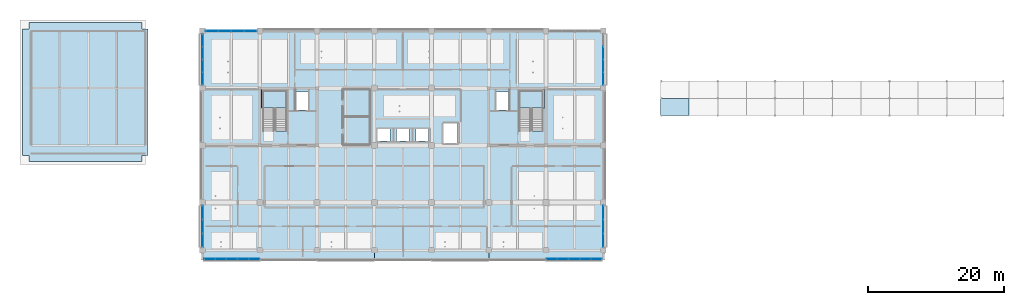
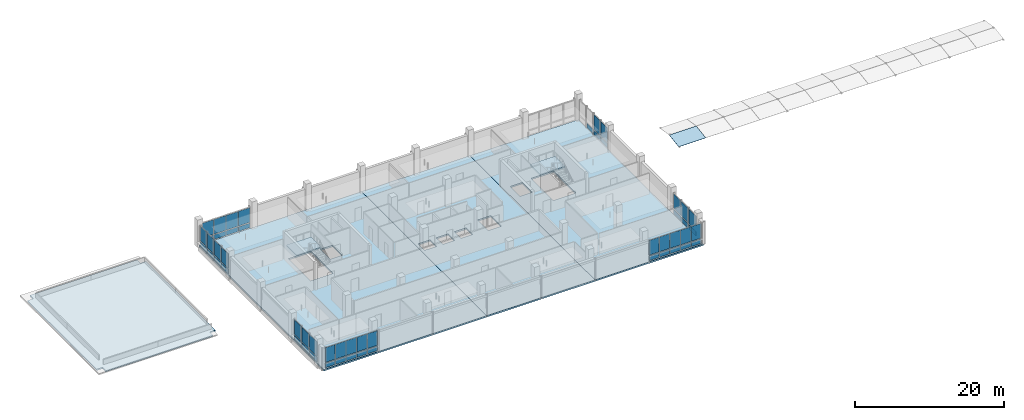
# One storey, part 10 of 39: 54 plates, 6 slabs, 9 elements without a shape of their own.
"""IFC4 building model written with IfcOpenShell, lengths in metres."""

from ifc_helpers import new_model, si_unit, direction, frame, origin, origin_2d, place, context, subcontext, project, spatial, polyline, rectangle, outline, extrude, material, layer, layer_set, type_object, element, aggregate, save


model = new_model("IFC4")

# Units and contexts
model_context = context("Model", 3, precision=1e-05, world=origin(), true_north=direction((0.0, 1.0)))
body_context = subcontext(model_context, "Body", "Model", "MODEL_VIEW")
ifc_project = project(units=[si_unit("LENGTHUNIT", "METRE"), si_unit("AREAUNIT", "SQUARE_METRE"), si_unit("VOLUMEUNIT", "CUBIC_METRE"), si_unit("PLANEANGLEUNIT", "RADIAN"), si_unit("MASSUNIT", "GRAM", prefix="KILO")], contexts=[model_context])

# Site, building, storey
site_placement = place(None, origin())
site = spatial("IfcSite", under=ifc_project, at=site_placement, CompositionType="ELEMENT")
building_placement = place(site_placement, origin())
building = spatial("IfcBuilding", under=site, at=building_placement, Name="Telukmera Botanical Conservatory", CompositionType="ELEMENT")
storey_placement = place(building_placement, frame((0.0, 0.0, 19.5)))
storey = spatial("IfcBuildingStorey", under=building, at=storey_placement, Name="L04", CompositionType="ELEMENT", Elevation=19.5)

# Plate
ifc_material_1 = material(Name="Low-iron laminated conservatory glass", Category="glass")
ifc_layer_1 = layer(ifc_material_1, 0.031982421875)
ifc_layer_set_1 = layer_set([ifc_layer_1], Name="Low-iron laminated conservatory glass")
plate_type_1 = type_object("IfcPlateType", Name="Conservatory Gridshell Laminated Skylight Facet 32", PredefinedType="USERDEFINED", material=ifc_layer_set_1)
plate_1_placement = place(storey_placement, frame((117.60205078125, 30.35205078125, 0.152587890625), z_axis=(0.0, -0.154989524517, 0.987916113488), x_axis=(1.0, 0.0, 0.0)))
element("IfcPlate", 1, at=plate_1_placement, inside=storey, type_object=plate_type_1, Name="Conservatory Gridshell Glass Facet 01-06", ObjectType="SKYLIGHT_PANEL", PredefinedType="USERDEFINED", context=body_context, shape_type="SweptSolid", body=[
    extrude(outline(polyline([(0.0, 0.0), (4.196044921875, 0.0), (4.196044921875, 2.577039085343429), (0.0, 2.577039085343429), (0.0, 0.0)])), origin(), (0.0, 0.0, -1.0), 0.031982421875),
])

# Stair, slab
ifc_material_2 = material(Name="Concrete C40/50", Category="concrete")
stair_type = type_object("IfcStairType", Name="ST-ESC-4500", PredefinedType="HALF_TURN_STAIR", material=ifc_material_2)
stair_1_placement = place(storey_placement, origin())
stair_1 = element("IfcStair", 2, at=stair_1_placement, inside=storey, type_object=stair_type, Name="L04 Protected Escape Stair ST1", PredefinedType="HALF_TURN_STAIR")
ifc_layer_2 = layer(ifc_material_2, 0.199951171875)
ifc_layer_set_2 = layer_set([ifc_layer_2], Name="Concrete C40/50")
slab_type_1 = type_object("IfcSlabType", Name="SL-LAND-200", PredefinedType="LANDING", material=ifc_layer_set_2)
slab_1_placement = place(storey_placement, frame((0.0, 0.0, 2.050048828125)))
slab_1 = element("IfcSlab", 3, at=slab_1_placement, type_object=slab_type_1, Name="ST1 landing 1", PredefinedType="LANDING", context=body_context, shape_type="SweptSolid", body=[
    extrude(outline(polyline([(59.0048828125, 31.449951171875), (62.844970703125, 31.449951171875), (62.844970703125, 34.195068359375), (59.0048828125, 34.195068359375), (59.0048828125, 31.449951171875)])), origin(), (0.0, 0.0, 1.0), 0.199951171875),
])
aggregate(stair_1, [slab_1])

stair_2_placement = place(storey_placement, origin())
stair_2 = element("IfcStair", 4, at=stair_2_placement, inside=storey, type_object=stair_type, Name="L04 Protected Escape Stair ST2", PredefinedType="HALF_TURN_STAIR")
slab_2_placement = place(storey_placement, frame((0.0, 0.0, 2.050048828125)))
slab_2 = element("IfcSlab", 5, at=slab_2_placement, type_object=slab_type_1, Name="ST2 landing 1", PredefinedType="LANDING", context=body_context, shape_type="SweptSolid", body=[
    extrude(outline(polyline([(96.7548828125, 31.449951171875), (100.594970703125, 31.449951171875), (100.594970703125, 34.195068359375), (96.7548828125, 34.195068359375), (96.7548828125, 31.449951171875)])), origin(), (0.0, 0.0, 1.0), 0.199951171875),
])
aggregate(stair_2, [slab_2])

# Slabs
ifc_layer_3 = layer(ifc_material_2, 0.25)
ifc_layer_set_3 = layer_set([ifc_layer_3], Name="Concrete C40/50")
slab_type_2 = type_object("IfcSlabType", Name="Slab_FS25", PredefinedType="FLOOR", material=ifc_layer_set_3)
slab_3_placement = place(storey_placement, frame((0.0, 0.0, -0.25)))
element("IfcSlab", 6, at=slab_3_placement, inside=storey, type_object=slab_type_2, Name="Tower Floor Slab L04 (WEST)", PredefinedType="FLOOR", context=body_context, shape_type="SweptSolid", body=[
    extrude(outline(polyline([(50.39990234375, 9.199951171875), (75.60009765625, 9.199951171875), (75.60009765625, 42.800048828125), (50.39990234375, 42.800048828125), (50.39990234375, 9.199951171875)]), holes=[polyline([(62.72998046875, 28.093017578125), (62.72998046875, 34.050048828125), (59.25, 34.050048828125), (59.25, 28.093017578125), (62.72998046875, 28.093017578125)]), polyline([(64.080078125, 31.179931640625), (65.919921875, 31.179931640625), (65.919921875, 33.820068359375), (64.080078125, 33.820068359375), (64.080078125, 31.179931640625)])]), origin(), (0.0, 0.0, 1.0), 0.25),
])
slab_4_placement = place(storey_placement, frame((0.0, 0.0, -0.25)))
element("IfcSlab", 7, at=slab_4_placement, inside=storey, type_object=slab_type_2, Name="Tower Floor Slab L04 (CENT)", PredefinedType="FLOOR", context=body_context, shape_type="SweptSolid", body=[
    extrude(outline(polyline([(75.60009765625, 9.199951171875), (92.39990234375, 9.199951171875), (92.39990234375, 42.800048828125), (75.60009765625, 42.800048828125), (75.60009765625, 9.199951171875)]), holes=[polyline([(85.780029296875, 26.3798828125), (87.820068359375, 26.3798828125), (87.820068359375, 29.219970703125), (85.780029296875, 29.219970703125), (85.780029296875, 26.3798828125)]), polyline([(76.080078125, 26.6298828125), (77.919921875, 26.6298828125), (77.919921875, 28.3701171875), (76.080078125, 28.3701171875), (76.080078125, 26.6298828125)]), polyline([(78.8798828125, 26.6298828125), (80.719970703125, 26.6298828125), (80.719970703125, 28.3701171875), (78.8798828125, 28.3701171875), (78.8798828125, 26.6298828125)]), polyline([(81.679931640625, 26.6298828125), (83.52001953125, 26.6298828125), (83.52001953125, 28.3701171875), (81.679931640625, 28.3701171875), (81.679931640625, 26.6298828125)])]), origin(), (0.0, 0.0, 1.0), 0.25),
])
slab_5_placement = place(storey_placement, frame((0.0, 0.0, -0.25)))
element("IfcSlab", 8, at=slab_5_placement, inside=storey, type_object=slab_type_2, Name="Tower Floor Slab L04 (EAST)", PredefinedType="FLOOR", context=body_context, shape_type="SweptSolid", body=[
    extrude(outline(polyline([(92.39990234375, 9.199951171875), (109.199951171875, 9.199951171875), (109.199951171875, 42.800048828125), (92.39990234375, 42.800048828125), (92.39990234375, 9.199951171875)]), holes=[polyline([(100.35009765625, 28.093017578125), (100.35009765625, 34.050048828125), (96.8701171875, 34.050048828125), (96.8701171875, 28.093017578125), (100.35009765625, 28.093017578125)]), polyline([(93.47998046875, 31.179931640625), (95.320068359375, 31.179931640625), (95.320068359375, 33.820068359375), (93.47998046875, 33.820068359375), (93.47998046875, 31.179931640625)])]), origin(), (0.0, 0.0, 1.0), 0.25),
])
ifc_layer_4 = layer(ifc_material_2, 0.199951171875)
ifc_layer_set_4 = layer_set([ifc_layer_4], Name="Concrete C40/50")
slab_type_3 = type_object("IfcSlabType", Name="Slab_RS20", PredefinedType="ROOF", material=ifc_layer_set_4)
slab_6_placement = place(storey_placement, frame((0.0, 0.0, -0.199951171875)))
element("IfcSlab", 9, at=slab_6_placement, inside=storey, type_object=slab_type_3, Name="Visitor Centre L03 Lounge Overhanging Monsoon Roof Slab", PredefinedType="ROOF", context=body_context, shape_type="SweptSolid", body=[
    extrude(outline(polyline([(24.89990234375, 23.60009765625), (41.5, 23.60009765625), (41.5, 24.5), (42.39990234375, 24.5), (42.39990234375, 43.10009765625), (41.5, 43.10009765625), (41.5, 44.0), (24.89990234375, 44.0), (24.89990234375, 43.10009765625), (24.0, 43.10009765625), (24.0, 24.5), (24.89990234375, 24.5), (24.89990234375, 23.60009765625)])), origin(), (0.0, 0.0, 1.0), 0.199951171875),
])

# Curtain wall, plates
ifc_material_3 = material(Name="Anodised aluminium 6063-T6", Category="aluminium")
ifc_layer_5 = layer(ifc_material_3, 0.179931640625)
ifc_layer_set_5 = layer_set([ifc_layer_5], Name="Anodised aluminium 6063-T6")
curtain_wall_type = type_object("IfcCurtainWallType", Name="Tower Herbarium Curation Corner Curtain Wall", PredefinedType="USERDEFINED", material=ifc_layer_set_5)
curtain_wall_1_placement = place(storey_placement, origin())
curtain_wall_1 = element("IfcCurtainWall", 10, at=curtain_wall_1_placement, inside=storey, type_object=curtain_wall_type, Name="Unitised Curtain Wall CW14 V4:L04:S1", ObjectType="UNITISED CURTAIN WALL", PredefinedType="USERDEFINED")
ifc_material_4 = material(Name="Spectrally selective low-E double glazing", Category="glass")
ifc_layer_6 = layer(ifc_material_4, 0.0380859375)
ifc_layer_set_6 = layer_set([ifc_layer_6], Name="Spectrally selective low-E double glazing")
plate_type_2 = type_object("IfcPlateType", Name="Solar Control Fritted Spandrel Glazing Panel 38", PredefinedType="CURTAIN_PANEL", material=ifc_layer_set_6)
plate_2_placement = place(storey_placement, frame((51.428955078125, 9.320068359375, 0.130126953125), z_axis=(0.0, 0.0, 1.0), x_axis=(1.0, 0.0, 0.0)))
plate_2 = element("IfcPlate", 11, at=plate_2_placement, type_object=plate_type_2, Name="CW14 panel 1.1", PredefinedType="CURTAIN_PANEL", context=body_context, shape_type="SweptSolid", body=[
    extrude(rectangle(XDim=1.543701171875, YDim=0.0380859375, at=origin_2d()), origin(), (0.0, 0.0, 1.0), 0.7548828125),
])
plate_3_placement = place(storey_placement, frame((51.428955078125, 9.320068359375, 1.01513671875), z_axis=(0.0, 0.0, 1.0), x_axis=(1.0, 0.0, 0.0)))
plate_3 = element("IfcPlate", 12, at=plate_3_placement, type_object=plate_type_2, Name="CW14 panel 1.2", PredefinedType="CURTAIN_PANEL", context=body_context, shape_type="SweptSolid", body=[
    extrude(rectangle(XDim=1.543701171875, YDim=0.0380859375, at=origin_2d()), origin(), (0.0, 0.0, 1.0), 2.405029296875),
])
plate_4_placement = place(storey_placement, frame((53.0537109375, 9.320068359375, 0.130126953125), z_axis=(0.0, 0.0, 1.0), x_axis=(1.0, 0.0, 0.0)))
plate_4 = element("IfcPlate", 13, at=plate_4_placement, type_object=plate_type_2, Name="CW14 panel 2.1", PredefinedType="CURTAIN_PANEL", context=body_context, shape_type="SweptSolid", body=[
    extrude(rectangle(XDim=1.576171875, YDim=0.0380859375, at=origin_2d()), origin(), (0.0, 0.0, 1.0), 0.7548828125),
])
plate_5_placement = place(storey_placement, frame((53.0537109375, 9.320068359375, 1.01513671875), z_axis=(0.0, 0.0, 1.0), x_axis=(1.0, 0.0, 0.0)))
plate_5 = element("IfcPlate", 14, at=plate_5_placement, type_object=plate_type_2, Name="CW14 panel 2.2", PredefinedType="CURTAIN_PANEL", context=body_context, shape_type="SweptSolid", body=[
    extrude(rectangle(XDim=1.576171875, YDim=0.0380859375, at=origin_2d()), origin(), (0.0, 0.0, 1.0), 2.405029296875),
])
plate_6_placement = place(storey_placement, frame((54.695068359375, 9.320068359375, 0.130126953125), z_axis=(0.0, 0.0, 1.0), x_axis=(1.0, 0.0, 0.0)))
plate_6 = element("IfcPlate", 15, at=plate_6_placement, type_object=plate_type_2, Name="CW14 panel 3.1", PredefinedType="CURTAIN_PANEL", context=body_context, shape_type="SweptSolid", body=[
    extrude(rectangle(XDim=1.576171875, YDim=0.0380859375, at=origin_2d()), origin(), (0.0, 0.0, 1.0), 0.7548828125),
])
plate_7_placement = place(storey_placement, frame((54.695068359375, 9.320068359375, 1.01513671875), z_axis=(0.0, 0.0, 1.0), x_axis=(1.0, 0.0, 0.0)))
plate_7 = element("IfcPlate", 16, at=plate_7_placement, type_object=plate_type_2, Name="CW14 panel 3.2", PredefinedType="CURTAIN_PANEL", context=body_context, shape_type="SweptSolid", body=[
    extrude(rectangle(XDim=1.576171875, YDim=0.0380859375, at=origin_2d()), origin(), (0.0, 0.0, 1.0), 2.405029296875),
])
plate_8_placement = place(storey_placement, frame((56.336181640625, 9.320068359375, 0.130126953125), z_axis=(0.0, 0.0, 1.0), x_axis=(1.0, 0.0, 0.0)))
plate_8 = element("IfcPlate", 17, at=plate_8_placement, type_object=plate_type_2, Name="CW14 panel 4.1", PredefinedType="CURTAIN_PANEL", context=body_context, shape_type="SweptSolid", body=[
    extrude(rectangle(XDim=1.576171875, YDim=0.0380859375, at=origin_2d()), origin(), (0.0, 0.0, 1.0), 0.7548828125),
])
plate_9_placement = place(storey_placement, frame((56.336181640625, 9.320068359375, 1.01513671875), z_axis=(0.0, 0.0, 1.0), x_axis=(1.0, 0.0, 0.0)))
plate_9 = element("IfcPlate", 18, at=plate_9_placement, type_object=plate_type_2, Name="CW14 panel 4.2", PredefinedType="CURTAIN_PANEL", context=body_context, shape_type="SweptSolid", body=[
    extrude(rectangle(XDim=1.576171875, YDim=0.0380859375, at=origin_2d()), origin(), (0.0, 0.0, 1.0), 2.405029296875),
])
plate_10_placement = place(storey_placement, frame((57.961181640625, 9.320068359375, 0.130126953125), z_axis=(0.0, 0.0, 1.0), x_axis=(1.0, 0.0, 0.0)))
plate_10 = element("IfcPlate", 19, at=plate_10_placement, type_object=plate_type_2, Name="CW14 panel 5.1", PredefinedType="CURTAIN_PANEL", context=body_context, shape_type="SweptSolid", body=[
    extrude(rectangle(XDim=1.543701171875, YDim=0.0380859375, at=origin_2d()), origin(), (0.0, 0.0, 1.0), 0.7548828125),
])
plate_11_placement = place(storey_placement, frame((57.961181640625, 9.320068359375, 1.01513671875), z_axis=(0.0, 0.0, 1.0), x_axis=(1.0, 0.0, 0.0)))
plate_11 = element("IfcPlate", 20, at=plate_11_placement, type_object=plate_type_2, Name="CW14 panel 5.2", PredefinedType="CURTAIN_PANEL", context=body_context, shape_type="SweptSolid", body=[
    extrude(rectangle(XDim=1.543701171875, YDim=0.0380859375, at=origin_2d()), origin(), (0.0, 0.0, 1.0), 2.405029296875),
])
aggregate(curtain_wall_1, [plate_2, plate_3, plate_4, plate_5, plate_6, plate_7, plate_8, plate_9, plate_10, plate_11])

curtain_wall_2_placement = place(storey_placement, origin())
curtain_wall_2 = element("IfcCurtainWall", 21, at=curtain_wall_2_placement, inside=storey, type_object=curtain_wall_type, Name="Unitised Curtain Wall CW14 V4:L04:S7", ObjectType="UNITISED CURTAIN WALL", PredefinedType="USERDEFINED")
plate_12_placement = place(storey_placement, frame((101.638916015625, 9.320068359375, 0.130126953125), z_axis=(0.0, 0.0, 1.0), x_axis=(1.0, 0.0, 0.0)))
plate_12 = element("IfcPlate", 22, at=plate_12_placement, type_object=plate_type_2, Name="CW14 panel 1.1", PredefinedType="CURTAIN_PANEL", context=body_context, shape_type="SweptSolid", body=[
    extrude(rectangle(XDim=1.543701171875, YDim=0.0380859375, at=origin_2d()), origin(), (0.0, 0.0, 1.0), 0.7548828125),
])
plate_13_placement = place(storey_placement, frame((101.638916015625, 9.320068359375, 1.01513671875), z_axis=(0.0, 0.0, 1.0), x_axis=(1.0, 0.0, 0.0)))
plate_13 = element("IfcPlate", 23, at=plate_13_placement, type_object=plate_type_2, Name="CW14 panel 1.2", PredefinedType="CURTAIN_PANEL", context=body_context, shape_type="SweptSolid", body=[
    extrude(rectangle(XDim=1.543701171875, YDim=0.0380859375, at=origin_2d()), origin(), (0.0, 0.0, 1.0), 2.405029296875),
])
plate_14_placement = place(storey_placement, frame((103.263916015625, 9.320068359375, 0.130126953125), z_axis=(0.0, 0.0, 1.0), x_axis=(1.0, 0.0, 0.0)))
plate_14 = element("IfcPlate", 24, at=plate_14_placement, type_object=plate_type_2, Name="CW14 panel 2.1", PredefinedType="CURTAIN_PANEL", context=body_context, shape_type="SweptSolid", body=[
    extrude(rectangle(XDim=1.576171875, YDim=0.0380859375, at=origin_2d()), origin(), (0.0, 0.0, 1.0), 0.7548828125),
])
plate_15_placement = place(storey_placement, frame((103.263916015625, 9.320068359375, 1.01513671875), z_axis=(0.0, 0.0, 1.0), x_axis=(1.0, 0.0, 0.0)))
plate_15 = element("IfcPlate", 25, at=plate_15_placement, type_object=plate_type_2, Name="CW14 panel 2.2", PredefinedType="CURTAIN_PANEL", context=body_context, shape_type="SweptSolid", body=[
    extrude(rectangle(XDim=1.576171875, YDim=0.0380859375, at=origin_2d()), origin(), (0.0, 0.0, 1.0), 2.405029296875),
])
plate_16_placement = place(storey_placement, frame((104.905029296875, 9.320068359375, 0.130126953125), z_axis=(0.0, 0.0, 1.0), x_axis=(1.0, 0.0, 0.0)))
plate_16 = element("IfcPlate", 26, at=plate_16_placement, type_object=plate_type_2, Name="CW14 panel 3.1", PredefinedType="CURTAIN_PANEL", context=body_context, shape_type="SweptSolid", body=[
    extrude(rectangle(XDim=1.576171875, YDim=0.0380859375, at=origin_2d()), origin(), (0.0, 0.0, 1.0), 0.7548828125),
])
plate_17_placement = place(storey_placement, frame((104.905029296875, 9.320068359375, 1.01513671875), z_axis=(0.0, 0.0, 1.0), x_axis=(1.0, 0.0, 0.0)))
plate_17 = element("IfcPlate", 27, at=plate_17_placement, type_object=plate_type_2, Name="CW14 panel 3.2", PredefinedType="CURTAIN_PANEL", context=body_context, shape_type="SweptSolid", body=[
    extrude(rectangle(XDim=1.576171875, YDim=0.0380859375, at=origin_2d()), origin(), (0.0, 0.0, 1.0), 2.405029296875),
])
plate_18_placement = place(storey_placement, frame((106.546142578125, 9.320068359375, 0.130126953125), z_axis=(0.0, 0.0, 1.0), x_axis=(1.0, 0.0, 0.0)))
plate_18 = element("IfcPlate", 28, at=plate_18_placement, type_object=plate_type_2, Name="CW14 panel 4.1", PredefinedType="CURTAIN_PANEL", context=body_context, shape_type="SweptSolid", body=[
    extrude(rectangle(XDim=1.576171875, YDim=0.0380859375, at=origin_2d()), origin(), (0.0, 0.0, 1.0), 0.7548828125),
])
plate_19_placement = place(storey_placement, frame((106.546142578125, 9.320068359375, 1.01513671875), z_axis=(0.0, 0.0, 1.0), x_axis=(1.0, 0.0, 0.0)))
plate_19 = element("IfcPlate", 29, at=plate_19_placement, type_object=plate_type_2, Name="CW14 panel 4.2", PredefinedType="CURTAIN_PANEL", context=body_context, shape_type="SweptSolid", body=[
    extrude(rectangle(XDim=1.576171875, YDim=0.0380859375, at=origin_2d()), origin(), (0.0, 0.0, 1.0), 2.405029296875),
])
plate_20_placement = place(storey_placement, frame((108.171142578125, 9.320068359375, 0.130126953125), z_axis=(0.0, 0.0, 1.0), x_axis=(1.0, 0.0, 0.0)))
plate_20 = element("IfcPlate", 30, at=plate_20_placement, type_object=plate_type_2, Name="CW14 panel 5.1", PredefinedType="CURTAIN_PANEL", context=body_context, shape_type="SweptSolid", body=[
    extrude(rectangle(XDim=1.543701171875, YDim=0.0380859375, at=origin_2d()), origin(), (0.0, 0.0, 1.0), 0.7548828125),
])
plate_21_placement = place(storey_placement, frame((108.171142578125, 9.320068359375, 1.01513671875), z_axis=(0.0, 0.0, 1.0), x_axis=(1.0, 0.0, 0.0)))
plate_21 = element("IfcPlate", 31, at=plate_21_placement, type_object=plate_type_2, Name="CW14 panel 5.2", PredefinedType="CURTAIN_PANEL", context=body_context, shape_type="SweptSolid", body=[
    extrude(rectangle(XDim=1.543701171875, YDim=0.0380859375, at=origin_2d()), origin(), (0.0, 0.0, 1.0), 2.405029296875),
])
aggregate(curtain_wall_2, [plate_12, plate_13, plate_14, plate_15, plate_16, plate_17, plate_18, plate_19, plate_20, plate_21])

curtain_wall_3_placement = place(storey_placement, origin())
curtain_wall_3 = element("IfcCurtainWall", 32, at=curtain_wall_3_placement, inside=storey, type_object=curtain_wall_type, Name="Unitised Curtain Wall CW14 V4:L04:N1", ObjectType="UNITISED CURTAIN WALL", PredefinedType="USERDEFINED")
plate_22_placement = place(storey_placement, frame((51.78662109375, 42.800048828125, 0.130126953125), z_axis=(0.0, 0.0, 1.0), x_axis=(1.0, 0.0, 0.0)))
plate_22 = element("IfcPlate", 33, at=plate_22_placement, type_object=plate_type_2, Name="CW14 panel 1.1", PredefinedType="CURTAIN_PANEL", context=body_context, shape_type="SweptSolid", body=[
    extrude(rectangle(XDim=1.7890625, YDim=0.0380859375, at=origin_2d()), origin(), (0.0, 0.0, 1.0), 0.7548828125),
])
plate_23_placement = place(storey_placement, frame((51.78662109375, 42.800048828125, 1.01513671875), z_axis=(0.0, 0.0, 1.0), x_axis=(1.0, 0.0, 0.0)))
plate_23 = element("IfcPlate", 34, at=plate_23_placement, type_object=plate_type_2, Name="CW14 panel 1.2", PredefinedType="CURTAIN_PANEL", context=body_context, shape_type="SweptSolid", body=[
    extrude(rectangle(XDim=1.7890625, YDim=0.0380859375, at=origin_2d()), origin(), (0.0, 0.0, 1.0), 2.405029296875),
])
plate_24_placement = place(storey_placement, frame((53.65673828125, 42.800048828125, 0.130126953125), z_axis=(0.0, 0.0, 1.0), x_axis=(1.0, 0.0, 0.0)))
plate_24 = element("IfcPlate", 35, at=plate_24_placement, type_object=plate_type_2, Name="CW14 panel 2.1", PredefinedType="CURTAIN_PANEL", context=body_context, shape_type="SweptSolid", body=[
    extrude(rectangle(XDim=1.821533203125, YDim=0.0380859375, at=origin_2d()), origin(), (0.0, 0.0, 1.0), 0.7548828125),
])
plate_25_placement = place(storey_placement, frame((53.65673828125, 42.800048828125, 1.01513671875), z_axis=(0.0, 0.0, 1.0), x_axis=(1.0, 0.0, 0.0)))
plate_25 = element("IfcPlate", 36, at=plate_25_placement, type_object=plate_type_2, Name="CW14 panel 2.2", PredefinedType="CURTAIN_PANEL", context=body_context, shape_type="SweptSolid", body=[
    extrude(rectangle(XDim=1.821533203125, YDim=0.0380859375, at=origin_2d()), origin(), (0.0, 0.0, 1.0), 2.405029296875),
])
plate_26_placement = place(storey_placement, frame((55.543212890625, 42.800048828125, 0.130126953125), z_axis=(0.0, 0.0, 1.0), x_axis=(1.0, 0.0, 0.0)))
plate_26 = element("IfcPlate", 37, at=plate_26_placement, type_object=plate_type_2, Name="CW14 panel 3.1", PredefinedType="CURTAIN_PANEL", context=body_context, shape_type="SweptSolid", body=[
    extrude(rectangle(XDim=1.821533203125, YDim=0.0380859375, at=origin_2d()), origin(), (0.0, 0.0, 1.0), 0.7548828125),
])
plate_27_placement = place(storey_placement, frame((55.543212890625, 42.800048828125, 1.01513671875), z_axis=(0.0, 0.0, 1.0), x_axis=(1.0, 0.0, 0.0)))
plate_27 = element("IfcPlate", 38, at=plate_27_placement, type_object=plate_type_2, Name="CW14 panel 3.2", PredefinedType="CURTAIN_PANEL", context=body_context, shape_type="SweptSolid", body=[
    extrude(rectangle(XDim=1.821533203125, YDim=0.0380859375, at=origin_2d()), origin(), (0.0, 0.0, 1.0), 2.405029296875),
])
plate_28_placement = place(storey_placement, frame((57.41357421875, 42.800048828125, 0.130126953125), z_axis=(0.0, 0.0, 1.0), x_axis=(1.0, 0.0, 0.0)))
plate_28 = element("IfcPlate", 39, at=plate_28_placement, type_object=plate_type_2, Name="CW14 panel 4.1", PredefinedType="CURTAIN_PANEL", context=body_context, shape_type="SweptSolid", body=[
    extrude(rectangle(XDim=1.7890625, YDim=0.0380859375, at=origin_2d()), origin(), (0.0, 0.0, 1.0), 0.7548828125),
])
plate_29_placement = place(storey_placement, frame((57.41357421875, 42.800048828125, 1.01513671875), z_axis=(0.0, 0.0, 1.0), x_axis=(1.0, 0.0, 0.0)))
plate_29 = element("IfcPlate", 40, at=plate_29_placement, type_object=plate_type_2, Name="CW14 panel 4.2", PredefinedType="CURTAIN_PANEL", context=body_context, shape_type="SweptSolid", body=[
    extrude(rectangle(XDim=1.7890625, YDim=0.0380859375, at=origin_2d()), origin(), (0.0, 0.0, 1.0), 2.405029296875),
])
aggregate(curtain_wall_3, [plate_22, plate_23, plate_24, plate_25, plate_26, plate_27, plate_28, plate_29])

curtain_wall_4_placement = place(storey_placement, origin())
curtain_wall_4 = element("IfcCurtainWall", 41, at=curtain_wall_4_placement, inside=storey, type_object=curtain_wall_type, Name="Unitised Curtain Wall CW14 V4:L04:W1", ObjectType="UNITISED CURTAIN WALL", PredefinedType="USERDEFINED")
plate_30_placement = place(storey_placement, frame((50.39990234375, 12.067626953125, 0.130126953125), z_axis=(0.0, 0.0, 1.0), x_axis=(0.0, 1.0, 0.0)))
plate_30 = element("IfcPlate", 42, at=plate_30_placement, type_object=plate_type_2, Name="CW14 panel 1.1", PredefinedType="CURTAIN_PANEL", context=body_context, shape_type="SweptSolid", body=[
    extrude(rectangle(XDim=1.951171875, YDim=0.0380859375, at=origin_2d()), origin(), (0.0, 0.0, 1.0), 0.7548828125),
])
plate_31_placement = place(storey_placement, frame((50.39990234375, 12.067626953125, 1.01513671875), z_axis=(0.0, 0.0, 1.0), x_axis=(0.0, 1.0, 0.0)))
plate_31 = element("IfcPlate", 43, at=plate_31_placement, type_object=plate_type_2, Name="CW14 panel 1.2", PredefinedType="CURTAIN_PANEL", context=body_context, shape_type="SweptSolid", body=[
    extrude(rectangle(XDim=1.951171875, YDim=0.0380859375, at=origin_2d()), origin(), (0.0, 0.0, 1.0), 2.405029296875),
])
plate_32_placement = place(storey_placement, frame((50.39990234375, 14.10009765625, 0.130126953125), z_axis=(0.0, 0.0, 1.0), x_axis=(0.0, 1.0, 0.0)))
plate_32 = element("IfcPlate", 44, at=plate_32_placement, type_object=plate_type_2, Name="CW14 panel 2.1", PredefinedType="CURTAIN_PANEL", context=body_context, shape_type="SweptSolid", body=[
    extrude(rectangle(XDim=1.983642578125, YDim=0.0380859375, at=origin_2d()), origin(), (0.0, 0.0, 1.0), 0.7548828125),
])
plate_33_placement = place(storey_placement, frame((50.39990234375, 14.10009765625, 1.01513671875), z_axis=(0.0, 0.0, 1.0), x_axis=(0.0, 1.0, 0.0)))
plate_33 = element("IfcPlate", 45, at=plate_33_placement, type_object=plate_type_2, Name="CW14 panel 2.2", PredefinedType="CURTAIN_PANEL", context=body_context, shape_type="SweptSolid", body=[
    extrude(rectangle(XDim=1.983642578125, YDim=0.0380859375, at=origin_2d()), origin(), (0.0, 0.0, 1.0), 2.405029296875),
])
plate_34_placement = place(storey_placement, frame((50.39990234375, 16.13232421875, 0.130126953125), z_axis=(0.0, 0.0, 1.0), x_axis=(0.0, 1.0, 0.0)))
plate_34 = element("IfcPlate", 46, at=plate_34_placement, type_object=plate_type_2, Name="CW14 panel 3.1", PredefinedType="CURTAIN_PANEL", context=body_context, shape_type="SweptSolid", body=[
    extrude(rectangle(XDim=1.951171875, YDim=0.0380859375, at=origin_2d()), origin(), (0.0, 0.0, 1.0), 0.7548828125),
])
plate_35_placement = place(storey_placement, frame((50.39990234375, 16.13232421875, 1.01513671875), z_axis=(0.0, 0.0, 1.0), x_axis=(0.0, 1.0, 0.0)))
plate_35 = element("IfcPlate", 47, at=plate_35_placement, type_object=plate_type_2, Name="CW14 panel 3.2", PredefinedType="CURTAIN_PANEL", context=body_context, shape_type="SweptSolid", body=[
    extrude(rectangle(XDim=1.951171875, YDim=0.0380859375, at=origin_2d()), origin(), (0.0, 0.0, 1.0), 2.405029296875),
])
aggregate(curtain_wall_4, [plate_30, plate_31, plate_32, plate_33, plate_34, plate_35])

curtain_wall_5_placement = place(storey_placement, origin())
curtain_wall_5 = element("IfcCurtainWall", 48, at=curtain_wall_5_placement, inside=storey, type_object=curtain_wall_type, Name="Unitised Curtain Wall CW14 V4:L04:E1", ObjectType="UNITISED CURTAIN WALL", PredefinedType="USERDEFINED")
plate_36_placement = place(storey_placement, frame((109.199951171875, 12.067626953125, 0.130126953125), z_axis=(0.0, 0.0, 1.0), x_axis=(0.0, 1.0, 0.0)))
plate_36 = element("IfcPlate", 49, at=plate_36_placement, type_object=plate_type_2, Name="CW14 panel 1.1", PredefinedType="CURTAIN_PANEL", context=body_context, shape_type="SweptSolid", body=[
    extrude(rectangle(XDim=1.951171875, YDim=0.0380859375, at=origin_2d()), origin(), (0.0, 0.0, 1.0), 0.7548828125),
])
plate_37_placement = place(storey_placement, frame((109.199951171875, 12.067626953125, 1.01513671875), z_axis=(0.0, 0.0, 1.0), x_axis=(0.0, 1.0, 0.0)))
plate_37 = element("IfcPlate", 50, at=plate_37_placement, type_object=plate_type_2, Name="CW14 panel 1.2", PredefinedType="CURTAIN_PANEL", context=body_context, shape_type="SweptSolid", body=[
    extrude(rectangle(XDim=1.951171875, YDim=0.0380859375, at=origin_2d()), origin(), (0.0, 0.0, 1.0), 2.405029296875),
])
plate_38_placement = place(storey_placement, frame((109.199951171875, 14.10009765625, 0.130126953125), z_axis=(0.0, 0.0, 1.0), x_axis=(0.0, 1.0, 0.0)))
plate_38 = element("IfcPlate", 51, at=plate_38_placement, type_object=plate_type_2, Name="CW14 panel 2.1", PredefinedType="CURTAIN_PANEL", context=body_context, shape_type="SweptSolid", body=[
    extrude(rectangle(XDim=1.983642578125, YDim=0.0380859375, at=origin_2d()), origin(), (0.0, 0.0, 1.0), 0.7548828125),
])
plate_39_placement = place(storey_placement, frame((109.199951171875, 14.10009765625, 1.01513671875), z_axis=(0.0, 0.0, 1.0), x_axis=(0.0, 1.0, 0.0)))
plate_39 = element("IfcPlate", 52, at=plate_39_placement, type_object=plate_type_2, Name="CW14 panel 2.2", PredefinedType="CURTAIN_PANEL", context=body_context, shape_type="SweptSolid", body=[
    extrude(rectangle(XDim=1.983642578125, YDim=0.0380859375, at=origin_2d()), origin(), (0.0, 0.0, 1.0), 2.405029296875),
])
plate_40_placement = place(storey_placement, frame((109.199951171875, 16.13232421875, 0.130126953125), z_axis=(0.0, 0.0, 1.0), x_axis=(0.0, 1.0, 0.0)))
plate_40 = element("IfcPlate", 53, at=plate_40_placement, type_object=plate_type_2, Name="CW14 panel 3.1", PredefinedType="CURTAIN_PANEL", context=body_context, shape_type="SweptSolid", body=[
    extrude(rectangle(XDim=1.951171875, YDim=0.0380859375, at=origin_2d()), origin(), (0.0, 0.0, 1.0), 0.7548828125),
])
plate_41_placement = place(storey_placement, frame((109.199951171875, 16.13232421875, 1.01513671875), z_axis=(0.0, 0.0, 1.0), x_axis=(0.0, 1.0, 0.0)))
plate_41 = element("IfcPlate", 54, at=plate_41_placement, type_object=plate_type_2, Name="CW14 panel 3.2", PredefinedType="CURTAIN_PANEL", context=body_context, shape_type="SweptSolid", body=[
    extrude(rectangle(XDim=1.951171875, YDim=0.0380859375, at=origin_2d()), origin(), (0.0, 0.0, 1.0), 2.405029296875),
])
aggregate(curtain_wall_5, [plate_36, plate_37, plate_38, plate_39, plate_40, plate_41])

curtain_wall_6_placement = place(storey_placement, origin())
curtain_wall_6 = element("IfcCurtainWall", 55, at=curtain_wall_6_placement, inside=storey, type_object=curtain_wall_type, Name="Unitised Curtain Wall CW14 V4:L04:W4", ObjectType="UNITISED CURTAIN WALL", PredefinedType="USERDEFINED")
plate_42_placement = place(storey_placement, frame((50.39990234375, 35.78662109375, 0.130126953125), z_axis=(0.0, 0.0, 1.0), x_axis=(0.0, 1.0, 0.0)))
plate_42 = element("IfcPlate", 56, at=plate_42_placement, type_object=plate_type_2, Name="CW14 panel 1.1", PredefinedType="CURTAIN_PANEL", context=body_context, shape_type="SweptSolid", body=[
    extrude(rectangle(XDim=1.7890625, YDim=0.0380859375, at=origin_2d()), origin(), (0.0, 0.0, 1.0), 0.7548828125),
])
plate_43_placement = place(storey_placement, frame((50.39990234375, 35.78662109375, 1.01513671875), z_axis=(0.0, 0.0, 1.0), x_axis=(0.0, 1.0, 0.0)))
plate_43 = element("IfcPlate", 57, at=plate_43_placement, type_object=plate_type_2, Name="CW14 panel 1.2", PredefinedType="CURTAIN_PANEL", context=body_context, shape_type="SweptSolid", body=[
    extrude(rectangle(XDim=1.7890625, YDim=0.0380859375, at=origin_2d()), origin(), (0.0, 0.0, 1.0), 2.405029296875),
])
plate_44_placement = place(storey_placement, frame((50.39990234375, 37.65673828125, 0.130126953125), z_axis=(0.0, 0.0, 1.0), x_axis=(0.0, 1.0, 0.0)))
plate_44 = element("IfcPlate", 58, at=plate_44_placement, type_object=plate_type_2, Name="CW14 panel 2.1", PredefinedType="CURTAIN_PANEL", context=body_context, shape_type="SweptSolid", body=[
    extrude(rectangle(XDim=1.821533203125, YDim=0.0380859375, at=origin_2d()), origin(), (0.0, 0.0, 1.0), 0.7548828125),
])
plate_45_placement = place(storey_placement, frame((50.39990234375, 37.65673828125, 1.01513671875), z_axis=(0.0, 0.0, 1.0), x_axis=(0.0, 1.0, 0.0)))
plate_45 = element("IfcPlate", 59, at=plate_45_placement, type_object=plate_type_2, Name="CW14 panel 2.2", PredefinedType="CURTAIN_PANEL", context=body_context, shape_type="SweptSolid", body=[
    extrude(rectangle(XDim=1.821533203125, YDim=0.0380859375, at=origin_2d()), origin(), (0.0, 0.0, 1.0), 2.405029296875),
])
plate_46_placement = place(storey_placement, frame((50.39990234375, 39.543212890625, 0.130126953125), z_axis=(0.0, 0.0, 1.0), x_axis=(0.0, 1.0, 0.0)))
plate_46 = element("IfcPlate", 60, at=plate_46_placement, type_object=plate_type_2, Name="CW14 panel 3.1", PredefinedType="CURTAIN_PANEL", context=body_context, shape_type="SweptSolid", body=[
    extrude(rectangle(XDim=1.821533203125, YDim=0.0380859375, at=origin_2d()), origin(), (0.0, 0.0, 1.0), 0.7548828125),
])
plate_47_placement = place(storey_placement, frame((50.39990234375, 39.543212890625, 1.01513671875), z_axis=(0.0, 0.0, 1.0), x_axis=(0.0, 1.0, 0.0)))
plate_47 = element("IfcPlate", 61, at=plate_47_placement, type_object=plate_type_2, Name="CW14 panel 3.2", PredefinedType="CURTAIN_PANEL", context=body_context, shape_type="SweptSolid", body=[
    extrude(rectangle(XDim=1.821533203125, YDim=0.0380859375, at=origin_2d()), origin(), (0.0, 0.0, 1.0), 2.405029296875),
])
plate_48_placement = place(storey_placement, frame((50.39990234375, 41.41357421875, 0.130126953125), z_axis=(0.0, 0.0, 1.0), x_axis=(0.0, 1.0, 0.0)))
plate_48 = element("IfcPlate", 62, at=plate_48_placement, type_object=plate_type_2, Name="CW14 panel 4.1", PredefinedType="CURTAIN_PANEL", context=body_context, shape_type="SweptSolid", body=[
    extrude(rectangle(XDim=1.7890625, YDim=0.0380859375, at=origin_2d()), origin(), (0.0, 0.0, 1.0), 0.7548828125),
])
plate_49_placement = place(storey_placement, frame((50.39990234375, 41.41357421875, 1.01513671875), z_axis=(0.0, 0.0, 1.0), x_axis=(0.0, 1.0, 0.0)))
plate_49 = element("IfcPlate", 63, at=plate_49_placement, type_object=plate_type_2, Name="CW14 panel 4.2", PredefinedType="CURTAIN_PANEL", context=body_context, shape_type="SweptSolid", body=[
    extrude(rectangle(XDim=1.7890625, YDim=0.0380859375, at=origin_2d()), origin(), (0.0, 0.0, 1.0), 2.405029296875),
])
aggregate(curtain_wall_6, [plate_42, plate_43, plate_44, plate_45, plate_46, plate_47, plate_48, plate_49])

curtain_wall_7_placement = place(storey_placement, origin())
curtain_wall_7 = element("IfcCurtainWall", 64, at=curtain_wall_7_placement, inside=storey, type_object=curtain_wall_type, Name="Unitised Curtain Wall CW14 V4:L04:E4", ObjectType="UNITISED CURTAIN WALL", PredefinedType="USERDEFINED")
plate_50_placement = place(storey_placement, frame((109.199951171875, 35.78662109375, 0.130126953125), z_axis=(0.0, 0.0, 1.0), x_axis=(0.0, 1.0, 0.0)))
plate_50 = element("IfcPlate", 65, at=plate_50_placement, type_object=plate_type_2, Name="CW14 panel 1.1", PredefinedType="CURTAIN_PANEL", context=body_context, shape_type="SweptSolid", body=[
    extrude(rectangle(XDim=1.7890625, YDim=0.0380859375, at=origin_2d()), origin(), (0.0, 0.0, 1.0), 0.7548828125),
])
plate_51_placement = place(storey_placement, frame((109.199951171875, 35.78662109375, 1.01513671875), z_axis=(0.0, 0.0, 1.0), x_axis=(0.0, 1.0, 0.0)))
plate_51 = element("IfcPlate", 66, at=plate_51_placement, type_object=plate_type_2, Name="CW14 panel 1.2", PredefinedType="CURTAIN_PANEL", context=body_context, shape_type="SweptSolid", body=[
    extrude(rectangle(XDim=1.7890625, YDim=0.0380859375, at=origin_2d()), origin(), (0.0, 0.0, 1.0), 2.405029296875),
])
plate_52_placement = place(storey_placement, frame((109.199951171875, 37.65673828125, 0.130126953125), z_axis=(0.0, 0.0, 1.0), x_axis=(0.0, 1.0, 0.0)))
plate_52 = element("IfcPlate", 67, at=plate_52_placement, type_object=plate_type_2, Name="CW14 panel 2.1", PredefinedType="CURTAIN_PANEL", context=body_context, shape_type="SweptSolid", body=[
    extrude(rectangle(XDim=1.821533203125, YDim=0.0380859375, at=origin_2d()), origin(), (0.0, 0.0, 1.0), 0.7548828125),
])
plate_53_placement = place(storey_placement, frame((109.199951171875, 37.65673828125, 1.01513671875), z_axis=(0.0, 0.0, 1.0), x_axis=(0.0, 1.0, 0.0)))
plate_53 = element("IfcPlate", 68, at=plate_53_placement, type_object=plate_type_2, Name="CW14 panel 2.2", PredefinedType="CURTAIN_PANEL", context=body_context, shape_type="SweptSolid", body=[
    extrude(rectangle(XDim=1.821533203125, YDim=0.0380859375, at=origin_2d()), origin(), (0.0, 0.0, 1.0), 2.405029296875),
])
plate_54_placement = place(storey_placement, frame((109.199951171875, 39.543212890625, 0.130126953125), z_axis=(0.0, 0.0, 1.0), x_axis=(0.0, 1.0, 0.0)))
plate_54 = element("IfcPlate", 69, at=plate_54_placement, type_object=plate_type_2, Name="CW14 panel 3.1", PredefinedType="CURTAIN_PANEL", context=body_context, shape_type="SweptSolid", body=[
    extrude(rectangle(XDim=1.821533203125, YDim=0.0380859375, at=origin_2d()), origin(), (0.0, 0.0, 1.0), 0.7548828125),
])
aggregate(curtain_wall_7, [plate_50, plate_51, plate_52, plate_53, plate_54])

save(model, "model.ifc")
